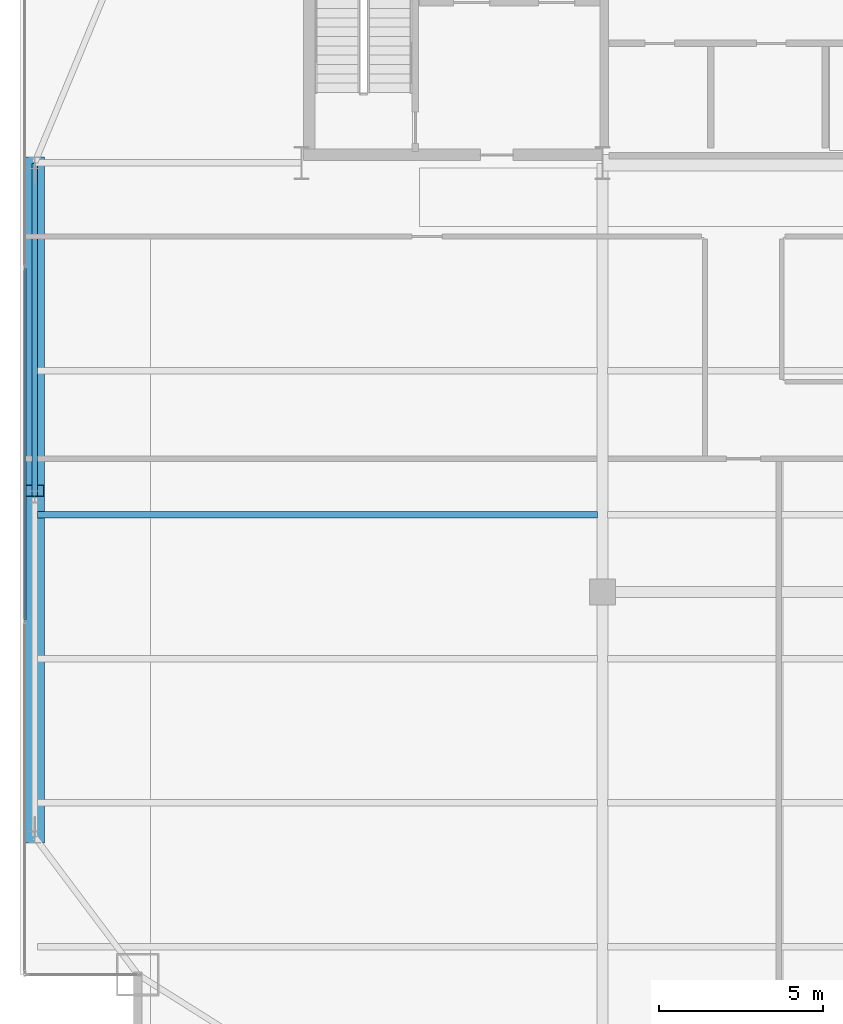
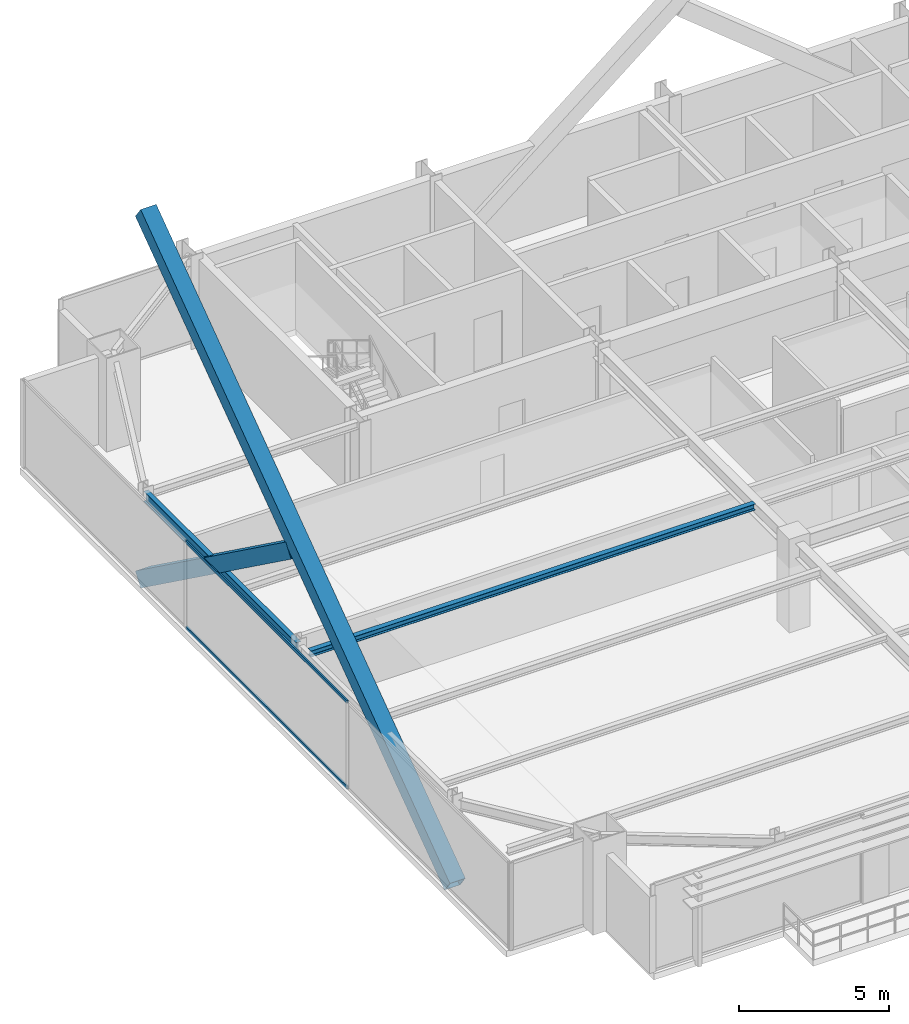
# One storey, part 11 of 34: 4 members, 2 beams, 1 element without a shape of its own.
"""IFC4 building model written with IfcOpenShell, lengths in metres."""

from ifc_helpers import new_model, si_unit, direction, frame, origin, origin_2d, place, context, subcontext, project, spatial, hollow_rectangle, i_section, extrude, source, transform, mapped, material, layer, layer_set, material_profile, profile_set, type_object, type_shapes, element, aggregate, save


model = new_model("IFC4")

# Units and contexts
model_context = context("Model", 3, precision=1e-05, world=origin(), true_north=direction((0.0, 1.0)))
body_context = subcontext(model_context, "Body", "Model", "MODEL_VIEW")
ifc_project = project(units=[si_unit("LENGTHUNIT", "METRE"), si_unit("AREAUNIT", "SQUARE_METRE"), si_unit("VOLUMEUNIT", "CUBIC_METRE"), si_unit("PLANEANGLEUNIT", "RADIAN"), si_unit("MASSUNIT", "GRAM", prefix="KILO")], contexts=[model_context])

# Site, building, storey
site_placement = place(None, origin())
site = spatial("IfcSite", under=ifc_project, at=site_placement, CompositionType="ELEMENT")
building_placement = place(site_placement, origin())
building = spatial("IfcBuilding", under=site, at=building_placement, Name="Varnel Quay Broadcast Tower", CompositionType="ELEMENT")
storey_placement = place(building_placement, frame((0.0, 0.0, 161.0)))
storey = spatial("IfcBuildingStorey", under=building, at=storey_placement, Name="L39", CompositionType="ELEMENT", Elevation=161.0)

# Beams
ifc_material_1 = material(Name="Structural Steel CSA G40.21 350W", Category="steel")
ifc_material_profile_1 = material_profile(ifc_material_1, i_section(OverallWidth=0.180908203125, OverallDepth=0.4169921875, WebThickness=0.010986328125, FlangeThickness=0.018310546875, FilletRadius=0.011962890625, at=origin_2d()), Name="W410X85")
ifc_profile_set_1 = profile_set([ifc_material_profile_1], Name="Structural Steel CSA G40.21 350W")
beam_type_1 = type_object("IfcBeamType", Name="Beam_W410X85", PredefinedType="SPANDREL", material=ifc_profile_set_1)
shared_shape_1 = source(origin(), body_context, "Body", "SweptSolid", [
    extrude(i_section(OverallWidth=0.180908203125, OverallDepth=0.4169921875, WebThickness=0.010986328125, FlangeThickness=0.018310546875, FilletRadius=0.011962890625, at=origin_2d()), origin(), (0.0, 0.0, 1.0), 10.16015625),
])
type_shapes(beam_type_1, [shared_shape_1])
beam_1_placement = place(storey_placement, frame((7.449951171875, 25.419921875, 3.341552734375), z_axis=(0.0, 1.0, 0.0), x_axis=(-1.0, 0.0, 0.0)))
element("IfcBeam", 1, at=beam_1_placement, inside=storey, type_object=beam_type_1, Name="L39 West Spandrel TC-W2-TC-W3", PredefinedType="SPANDREL", context=body_context, shape_type="MappedRepresentation", body=[
    mapped(shared_shape_1, transform((0.0, 0.0, 0.0), x_axis=(1.0, 0.0, 0.0), y_axis=(0.0, 1.0, 0.0), z_axis=(0.0, 0.0, 1.0), scale=1.0)),
])
ifc_material_profile_2 = material_profile(ifc_material_1, i_section(OverallWidth=0.201904296875, OverallDepth=0.2470703125, WebThickness=0.00732421875, FlangeThickness=0.010986328125, FilletRadius=0.010986328125, at=origin_2d()), Name="W250X49")
ifc_profile_set_2 = profile_set([ifc_material_profile_2], Name="Structural Steel CSA G40.21 350W")
beam_type_2 = type_object("IfcBeamType", Name="Beam_W250X49", PredefinedType="JOIST", material=ifc_profile_set_2)
shared_shape_2 = source(origin(), body_context, "Body", "SweptSolid", [
    extrude(i_section(OverallWidth=0.201904296875, OverallDepth=0.2470703125, WebThickness=0.00732421875, FlangeThickness=0.010986328125, FilletRadius=0.010986328125, at=origin_2d()), origin(), (0.0, 0.0, 1.0), 17.107177734375),
])
type_shapes(beam_type_2, [shared_shape_2])
beam_2_placement = place(storey_placement, frame((7.535400390625, 24.85009765625, 3.426513671875), z_axis=(1.0, 0.0, 0.0), x_axis=(0.0, 1.0, 0.0)))
element("IfcBeam", 2, at=beam_2_placement, inside=storey, type_object=beam_type_2, Name="L39 West Floor Joist 4", PredefinedType="JOIST", context=body_context, shape_type="MappedRepresentation", body=[
    mapped(shared_shape_2, transform((0.0, 0.0, 0.0), x_axis=(1.0, 0.0, 0.0), y_axis=(0.0, 1.0, 0.0), z_axis=(0.0, 0.0, 1.0), scale=1.0)),
])

# Members
ifc_material_2 = material(Name="Structural Steel CSA G40.21 350WT", Category="steel")
ifc_material_profile_3 = material_profile(ifc_material_2, hollow_rectangle(XDim=0.60009765625, YDim=0.60009765625, WallThickness=0.028076171875, at=origin_2d()), Name="BOX600X600X28")
ifc_profile_set_3 = profile_set([ifc_material_profile_3], Name="Structural Steel CSA G40.21 350WT")
member_type_1 = type_object("IfcMemberType", Name="Brace_BOX600X600X28", PredefinedType="BRACE", material=ifc_profile_set_3)
shared_shape_3 = source(origin(), body_context, "Body", "SweptSolid", [
    extrude(hollow_rectangle(XDim=0.60009765625, YDim=0.60009765625, WallThickness=0.028076171875, at=origin_2d()), origin(), (0.0, 0.0, 1.0), 25.4296875),
])
member_1_placement = place(storey_placement, frame((7.449951171875, 15.0, 0.02001953125), z_axis=(0.0, 0.810080334362, 0.586318899474), x_axis=(-1.0, 0.0, 0.0)))
element("IfcMember", 3, at=member_1_placement, inside=storey, type_object=member_type_1, Name="Zone 3 Mega-Brace W-FT2 Continuous Diag A", PredefinedType="BRACE", context=body_context, shape_type="MappedRepresentation", body=[
    mapped(shared_shape_3, transform((0.0, 0.0, 0.0), x_axis=(1.0, 0.0, 0.0), y_axis=(0.0, 1.0, 0.0), z_axis=(0.0, 0.0, 1.0), scale=1.0)),
])
shared_shape_4 = source(origin(), body_context, "Body", "SweptSolid", [
    extrude(hollow_rectangle(XDim=0.60009765625, YDim=0.60009765625, WallThickness=0.028076171875, at=origin_2d()), origin(), (0.0, 0.0, 1.0), 12.3740234375),
])
type_shapes(member_type_1, [shared_shape_3, shared_shape_4])
member_2_placement = place(storey_placement, frame((7.449951171875, 35.60009765625, 0.02001953125), z_axis=(0.0, -0.810079456088, 0.586320112928), x_axis=(1.0, 0.0, 0.0)))
element("IfcMember", 4, at=member_2_placement, inside=storey, type_object=member_type_1, Name="Zone 3 Mega-Brace W-FT2 Split Diag B1", PredefinedType="BRACE", context=body_context, shape_type="MappedRepresentation", body=[
    mapped(shared_shape_4, transform((0.0, 0.0, 0.0), x_axis=(1.0, 0.0, 0.0), y_axis=(0.0, 1.0, 0.0), z_axis=(0.0, 0.0, 1.0), scale=1.0)),
])

# Curtain wall, members
ifc_material_3 = material(Name="Anodised Bronze Aluminium 6063-T6", Category="aluminium")
ifc_layer = layer(ifc_material_3, 0.18994140625, Name="Anodised Bronze Aluminium 6063-T6")
ifc_layer_set = layer_set([ifc_layer], Name="Anodised Bronze Aluminium 6063-T6")
curtain_wall_type = type_object("IfcCurtainWallType", Name="CW_UpperTower", PredefinedType="NOTDEFINED", material=ifc_layer_set)
curtain_wall_placement = place(storey_placement, origin())
curtain_wall = element("IfcCurtainWall", 5, at=curtain_wall_placement, inside=storey, type_object=curtain_wall_type, Name="L39 West Unitised Curtain Wall", PredefinedType="NOTDEFINED")
ifc_material_profile_4 = material_profile(ifc_material_3, hollow_rectangle(XDim=0.06005859375, YDim=0.125, WallThickness=0.0029296875, at=origin_2d()), Name="ALU60X125X3")
ifc_profile_set_4 = profile_set([ifc_material_profile_4], Name="Anodised Bronze Aluminium 6063-T6")
member_type_2 = type_object("IfcMemberType", Name="Tran_CWS-03", PredefinedType="USERDEFINED", material=ifc_profile_set_4)
shared_shape_5 = source(origin(), body_context, "Body", "SweptSolid", [
    extrude(hollow_rectangle(XDim=0.06005859375, YDim=0.125, WallThickness=0.0029296875, at=origin_2d()), origin(), (0.0, 0.0, 1.0), 10.73486328125),
])
type_shapes(member_type_2, [shared_shape_5])
member_3_placement = place(storey_placement, frame((7.14990234375, 21.632568359375, 0.030029296875), z_axis=(0.0, 1.0, 0.0), x_axis=(-1.0, 0.0, 0.0)))
member_3 = element("IfcMember", 6, at=member_3_placement, type_object=member_type_2, Name="CWS-03 transom 2.1", ObjectType="TRANSOM", PredefinedType="USERDEFINED", context=body_context, shape_type="MappedRepresentation", body=[
    mapped(shared_shape_5, transform((0.0, 0.0, 0.0), x_axis=(1.0, 0.0, 0.0), y_axis=(0.0, 1.0, 0.0), z_axis=(0.0, 0.0, 1.0), scale=1.0)),
])
member_4_placement = place(storey_placement, frame((7.14990234375, 21.632568359375, 3.52001953125), z_axis=(0.0, 1.0, 0.0), x_axis=(-1.0, 0.0, 0.0)))
member_4 = element("IfcMember", 7, at=member_4_placement, type_object=member_type_2, Name="CWS-03 transom 2.2", ObjectType="TRANSOM", PredefinedType="USERDEFINED", context=body_context, shape_type="MappedRepresentation", body=[
    mapped(shared_shape_5, transform((0.0, 0.0, 0.0), x_axis=(1.0, 0.0, 0.0), y_axis=(0.0, 1.0, 0.0), z_axis=(0.0, 0.0, 1.0), scale=1.0)),
])
aggregate(curtain_wall, [member_3, member_4])

save(model, "model.ifc")
